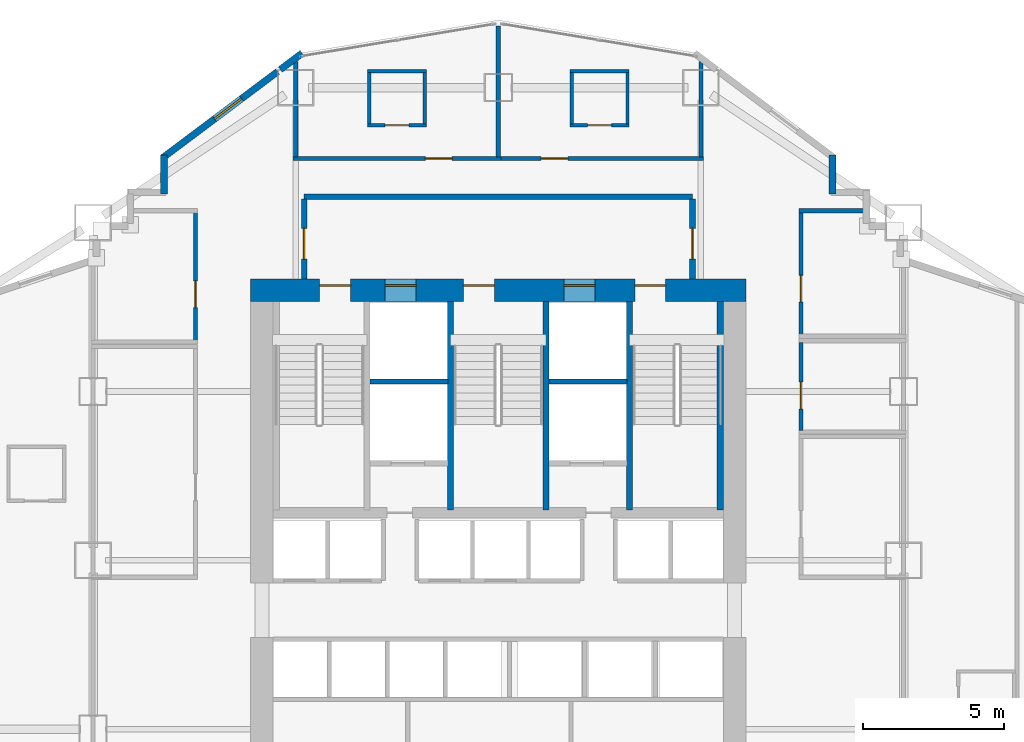
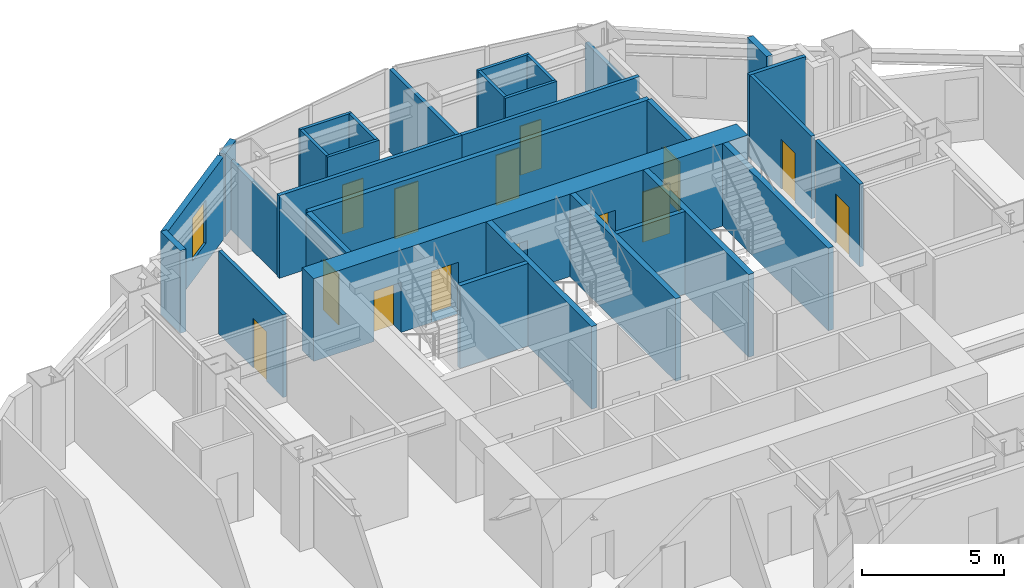
# One storey, part 12 of 19: 31 walls, 14 doors, 1 window, 15 openings.
"""IFC4 building model written with IfcOpenShell, lengths in metres."""

from ifc_helpers import new_model, si_unit, direction, frame, frame_2d, origin, place, context, subcontext, project, spatial, rectangle, extrude, material, layer, layer_set, type_object, element, fill, save


model = new_model("IFC4")

# Units and contexts
model_context = context("Model", 3, precision=1e-05, world=origin(), true_north=direction((0.0, 1.0)))
body_context = subcontext(model_context, "Body", "Model", "MODEL_VIEW")
ifc_project = project(units=[si_unit("LENGTHUNIT", "METRE"), si_unit("AREAUNIT", "SQUARE_METRE"), si_unit("VOLUMEUNIT", "CUBIC_METRE"), si_unit("PLANEANGLEUNIT", "RADIAN"), si_unit("MASSUNIT", "GRAM", prefix="KILO")], contexts=[model_context])

# Site, building, storey
site_placement = place(None, origin())
site = spatial("IfcSite", under=ifc_project, at=site_placement, CompositionType="ELEMENT")
building_placement = place(site_placement, origin())
building = spatial("IfcBuilding", under=site, at=building_placement, Name="Haolan Belvedere Tower", CompositionType="ELEMENT")
storey_placement = place(building_placement, frame((0.0, 0.0, 39.199951171875)))
storey = spatial("IfcBuildingStorey", under=building, at=storey_placement, Name="L09", CompositionType="ELEMENT", Elevation=39.199951171875)

# Wall, openings, doors
ifc_material_1 = material(Name="Concrete C70/85", Category="concrete")
ifc_layer_1 = layer(ifc_material_1, 0.800048828125, Name="Concrete C70/85")
ifc_layer_set_1 = layer_set([ifc_layer_1], Name="Concrete C70/85")
wall_type_1 = type_object("IfcWallType", Name="WL-CORE-800", PredefinedType="SHEAR", material=ifc_layer_set_1)
wall_1_placement = place(storey_placement, frame((29.60009765625, 43.199951171875, 0.0), z_axis=(0.0, 0.0, 1.0), x_axis=(1.0, 0.0, 0.0)))
wall_1 = element("IfcWall", 1, at=wall_1_placement, inside=storey, type_object=wall_type_1, Name="L09 central core north shear wall", PredefinedType="SHEAR", context=body_context, shape_type="SweptSolid", body=[
    extrude(rectangle(XDim=17.599853515625, YDim=0.800048828125, at=frame_2d((8.7998046875, 0.0))), origin(), (0.0, 0.0, 1.0), 3.5400390625),
])
opening_1_placement = place(wall_1_placement, frame((2.449951171875, 0.0, 0.0)))
opening_1 = element("IfcOpeningElement", 2, at=opening_1_placement, cuts=wall_1, Name="Opening FD-03", PredefinedType="OPENING", context=body_context, shape_type="SweptSolid", body=[
    extrude(rectangle(XDim=1.10009765625, YDim=2.14990234375, at=frame_2d((0.550048828125, 1.074951171875))), frame((0.0, 0.409912109375, 0.0), z_axis=(0.0, -1.0, 0.0), x_axis=(1.0, 0.0, 0.0)), (0.0, 0.0, 1.0), 0.820068359375),
])
opening_2_placement = place(wall_1_placement, frame((7.56005859375, 0.0, 0.0)))
opening_2 = element("IfcOpeningElement", 3, at=opening_2_placement, cuts=wall_1, Name="Opening FD-03", PredefinedType="OPENING", context=body_context, shape_type="SweptSolid", body=[
    extrude(rectangle(XDim=1.10009765625, YDim=2.14990234375, at=frame_2d((0.550048828125, 1.074951171875))), frame((0.0, 0.409912109375, 0.0), z_axis=(0.0, -1.0, 0.0), x_axis=(1.0, 0.0, 0.0)), (0.0, 0.0, 1.0), 0.820068359375),
])
opening_3_placement = place(wall_1_placement, frame((13.64990234375, 0.0, 0.0)))
opening_3 = element("IfcOpeningElement", 4, at=opening_3_placement, cuts=wall_1, Name="Opening FD-03", PredefinedType="OPENING", context=body_context, shape_type="SweptSolid", body=[
    extrude(rectangle(XDim=1.10009765625, YDim=2.14990234375, at=frame_2d((0.550048828125, 1.074951171875))), frame((0.0, 0.409912109375, 0.0), z_axis=(0.0, -1.0, 0.0), x_axis=(1.0, 0.0, 0.0)), (0.0, 0.0, 1.0), 0.820068359375),
])
opening_4_placement = place(wall_1_placement, frame((4.780029296875, 0.0, 0.0)))
opening_4 = element("IfcOpeningElement", 5, at=opening_4_placement, cuts=wall_1, Name="Opening LD-01", PredefinedType="OPENING", context=body_context, shape_type="SweptSolid", body=[
    extrude(rectangle(XDim=1.10009765625, YDim=2.199951171875, at=frame_2d((0.550048828125, 1.10009765625))), frame((0.0, 0.409912109375, 0.0), z_axis=(0.0, -1.0, 0.0), x_axis=(1.0, 0.0, 0.0)), (0.0, 0.0, 1.0), 0.820068359375),
])
opening_5_placement = place(wall_1_placement, frame((11.139892578125, 0.0, 0.0)))
opening_5 = element("IfcOpeningElement", 6, at=opening_5_placement, cuts=wall_1, Name="Opening LD-01", PredefinedType="OPENING", context=body_context, shape_type="SweptSolid", body=[
    extrude(rectangle(XDim=1.10009765625, YDim=2.199951171875, at=frame_2d((0.550048828125, 1.10009765625))), frame((0.0, 0.409912109375, 0.0), z_axis=(0.0, -1.0, 0.0), x_axis=(1.0, 0.0, 0.0)), (0.0, 0.0, 1.0), 0.820068359375),
])
ifc_material_2 = material(Name="Galvanised fire-rated steel", Category="steel")
door_type_1 = type_object("IfcDoorType", Name="DR-FD90-1100", OperationType="NOTDEFINED", PredefinedType="DOOR", material=ifc_material_2)
door_1_placement = place(opening_1_placement, origin())
door_1 = element("IfcDoor", 7, at=door_1_placement, inside=storey, type_object=door_type_1, Name="L09 door CD-L09-ST1", OperationType="SINGLE_SWING_LEFT", OverallHeight=2.14990234375, OverallWidth=1.10009765625, PredefinedType="DOOR", context=body_context, shape_type="SweptSolid", body=[
    extrude(rectangle(XDim=1.10009765625, YDim=2.14990234375, at=frame_2d((0.550048828125, 1.074951171875))), frame((0.0, 0.18505859375, 0.0), z_axis=(0.0, -1.0, 0.0), x_axis=(1.0, 0.0, 0.0)), (0.0, 0.0, 1.0), 0.050048828125),
])
fill(opening_1, door_1)
door_2_placement = place(opening_2_placement, origin())
door_2 = element("IfcDoor", 8, at=door_2_placement, inside=storey, type_object=door_type_1, Name="L09 door CD-L09-ST3", OperationType="SINGLE_SWING_LEFT", OverallHeight=2.14990234375, OverallWidth=1.10009765625, PredefinedType="DOOR", context=body_context, shape_type="SweptSolid", body=[
    extrude(rectangle(XDim=1.10009765625, YDim=2.14990234375, at=frame_2d((0.550048828125, 1.074951171875))), frame((0.0, 0.18505859375, 0.0), z_axis=(0.0, -1.0, 0.0), x_axis=(1.0, 0.0, 0.0)), (0.0, 0.0, 1.0), 0.050048828125),
])
fill(opening_2, door_2)
door_3_placement = place(opening_3_placement, origin())
door_3 = element("IfcDoor", 9, at=door_3_placement, inside=storey, type_object=door_type_1, Name="L09 door CD-L09-ST2", OperationType="SINGLE_SWING_RIGHT", OverallHeight=2.14990234375, OverallWidth=1.10009765625, PredefinedType="DOOR", context=body_context, shape_type="SweptSolid", body=[
    extrude(rectangle(XDim=1.10009765625, YDim=2.14990234375, at=frame_2d((0.550048828125, 1.074951171875))), frame((0.0, 0.18505859375, 0.0), z_axis=(0.0, -1.0, 0.0), x_axis=(1.0, 0.0, 0.0)), (0.0, 0.0, 1.0), 0.050048828125),
])
fill(opening_3, door_3)
ifc_material_3 = material(Name="Brushed champagne stainless steel 316L", Category="steel")
door_type_2 = type_object("IfcDoorType", Name="DR-LIFT-1100", OperationType="SLIDING_TO_LEFT", PredefinedType="DOOR", material=ifc_material_3)
door_4_placement = place(opening_4_placement, origin())
door_4 = element("IfcDoor", 10, at=door_4_placement, inside=storey, type_object=door_type_2, Name="L09 door LD-L09-FF1", OperationType="SLIDING_TO_LEFT", OverallHeight=2.199951171875, OverallWidth=1.10009765625, PredefinedType="DOOR", context=body_context, shape_type="SweptSolid", body=[
    extrude(rectangle(XDim=1.10009765625, YDim=2.199951171875, at=frame_2d((0.550048828125, 1.10009765625))), frame((0.0, 0.18505859375, 0.0), z_axis=(0.0, -1.0, 0.0), x_axis=(1.0, 0.0, 0.0)), (0.0, 0.0, 1.0), 0.050048828125),
])
fill(opening_4, door_4)
door_5_placement = place(opening_5_placement, origin())
door_5 = element("IfcDoor", 11, at=door_5_placement, inside=storey, type_object=door_type_2, Name="L09 door LD-L09-FF2", OperationType="SLIDING_TO_LEFT", OverallHeight=2.199951171875, OverallWidth=1.10009765625, PredefinedType="DOOR", context=body_context, shape_type="SweptSolid", body=[
    extrude(rectangle(XDim=1.10009765625, YDim=2.199951171875, at=frame_2d((0.550048828125, 1.10009765625))), frame((0.0, 0.18505859375, 0.0), z_axis=(0.0, -1.0, 0.0), x_axis=(1.0, 0.0, 0.0)), (0.0, 0.0, 1.0), 0.050048828125),
])
fill(opening_5, door_5)

# Walls
ifc_material_4 = material(Name="Precast concrete C40/50", Category="concrete")
ifc_layer_2 = layer(ifc_material_4, 0.239990234375, Name="Precast concrete C40/50")
ifc_layer_set_2 = layer_set([ifc_layer_2], Name="Precast concrete C40/50")
wall_type_2 = type_object("IfcWallType", Name="WL-EXT-240", PredefinedType="SOLIDWALL", material=ifc_layer_set_2)
wall_2_placement = place(storey_placement, frame((50.280029296875, 46.625, 0.0), z_axis=(0.0, 0.0, 1.0), x_axis=(0.0, 1.0, 0.0)))
element("IfcWall", 12, at=wall_2_placement, inside=storey, type_object=wall_type_2, Name="L09 pale-metal exterior spandrel wall 40.1", PredefinedType="SOLIDWALL", context=body_context, shape_type="SweptSolid", body=[
    extrude(rectangle(XDim=1.3701171875, YDim=0.239990234375, at=frame_2d((0.68505859375, 0.0))), origin(), (0.0, 0.0, 1.0), 3.5400390625),
])
wall_3_placement = place(storey_placement, frame((31.4287109375, 51.621337890625, 0.0), z_axis=(0.0, 0.0, 1.0), x_axis=(-0.800090996409, -0.599878652284, 0.0)))
element("IfcWall", 13, at=wall_3_placement, inside=storey, type_object=wall_type_2, Name="L09 pale-metal exterior spandrel wall 44.1", PredefinedType="SOLIDWALL", context=body_context, shape_type="SweptSolid", body=[
    extrude(rectangle(XDim=0.9658203125, YDim=0.239990234375, at=frame_2d((0.48291015625, 0.0))), origin(), (0.0, 0.0, 1.0), 3.5400390625),
])

# Wall, opening, window
wall_4_placement = place(storey_placement, frame((30.55810546875, 50.968505859375, 0.0), z_axis=(0.0, 0.0, 1.0), x_axis=(-0.8, -0.6, 0.0)))
wall_4 = element("IfcWall", 14, at=wall_4_placement, inside=storey, type_object=wall_type_2, Name="L09 pale-metal exterior spandrel wall 44.2", PredefinedType="SOLIDWALL", context=body_context, shape_type="SweptSolid", body=[
    extrude(rectangle(XDim=5.1025390625, YDim=0.239990234375, at=frame_2d((2.55126953125, 0.0))), origin(), (0.0, 0.0, 1.0), 3.5400390625),
])
opening_6_placement = place(wall_4_placement, frame((1.60009765625, 0.0, 0.85009765625)))
opening_6 = element("IfcOpeningElement", 15, at=opening_6_placement, cuts=wall_4, Name="Opening W-01", PredefinedType="OPENING", context=body_context, shape_type="SweptSolid", body=[
    extrude(rectangle(XDim=1.199951171875, YDim=1.85009765625, at=frame_2d((0.60009765625, 0.925048828125))), frame((0.0, 0.1298828125, 0.0), z_axis=(0.0, -1.0, 0.0), x_axis=(1.0, 0.0, 0.0)), (0.0, 0.0, 1.0), 0.260009765625),
])
ifc_material_5 = material(Name="Anodised aluminium 6063-T6 and Low-E glass", Category="aluminium")
window_type = type_object("IfcWindowType", Name="WN-DECO-Z1", PartitioningType="SINGLE_PANEL", PredefinedType="WINDOW", material=ifc_material_5)
window_placement = place(opening_6_placement, origin())
window = element("IfcWindow", 16, at=window_placement, inside=storey, type_object=window_type, Name="L09 Art Deco chevron window 1", OverallHeight=1.85009765625, OverallWidth=1.199951171875, PartitioningType="SINGLE_PANEL", PredefinedType="WINDOW", context=body_context, shape_type="SweptSolid", body=[
    extrude(rectangle(XDim=1.199951171875, YDim=1.85009765625, at=frame_2d((0.60009765625, 0.925048828125))), frame((0.0, 0.030029296875, 0.0), z_axis=(0.0, -1.0, 0.0), x_axis=(1.0, 0.0, 0.0)), (0.0, 0.0, 1.0), 0.06005859375),
])
fill(opening_6, window)

# Walls
wall_5_placement = place(storey_placement, frame((26.52001953125, 47.9951171875, 0.0), z_axis=(0.0, 0.0, 1.0), x_axis=(0.0, -1.0, 0.0)))
element("IfcWall", 17, at=wall_5_placement, inside=storey, type_object=wall_type_2, Name="L09 pale-metal exterior spandrel wall 45.1", PredefinedType="SOLIDWALL", context=body_context, shape_type="SweptSolid", body=[
    extrude(rectangle(XDim=1.3701171875, YDim=0.239990234375, at=frame_2d((0.68505859375, 0.0))), origin(), (0.0, 0.0, 1.0), 3.5400390625),
])
ifc_material_6 = material(Name="Concrete C40/50", Category="concrete")
ifc_layer_3 = layer(ifc_material_6, 0.199951171875, Name="Concrete C40/50")
ifc_layer_set_3 = layer_set([ifc_layer_3], Name="Concrete C40/50")
wall_type_3 = type_object("IfcWallType", Name="WL-FIRE-200", PredefinedType="SOLIDWALL", material=ifc_layer_set_3)
wall_6_placement = place(storey_placement, frame((31.5, 46.52001953125, 0.0), z_axis=(0.0, 0.0, 1.0), x_axis=(1.0, 0.0, 0.0)))
element("IfcWall", 18, at=wall_6_placement, inside=storey, type_object=wall_type_3, Name="L09 interior partition IW-L09-FFL-N", PredefinedType="SOLIDWALL", context=body_context, shape_type="SweptSolid", body=[
    extrude(rectangle(XDim=13.800048828125, YDim=0.199951171875, at=frame_2d((6.89990234375, 0.0))), origin(), (0.0, 0.0, 1.0), 3.5400390625),
])

# Wall, opening, door
wall_7_placement = place(storey_placement, frame((31.5, 43.60009765625, 0.0), z_axis=(0.0, 0.0, 1.0), x_axis=(0.0, 1.0, 0.0)))
wall_7 = element("IfcWall", 19, at=wall_7_placement, inside=storey, type_object=wall_type_3, Name="L09 interior partition IW-L09-FFL-W", PredefinedType="SOLIDWALL", context=body_context, shape_type="SweptSolid", body=[
    extrude(rectangle(XDim=2.8349609375, YDim=0.199951171875, at=frame_2d((1.41748046875, 0.0))), origin(), (0.0, 0.0, 1.0), 3.5400390625),
])
opening_7_placement = place(wall_7_placement, frame((1.800048828125, 0.0, 0.0), z_axis=(0.0, 0.0, 1.0), x_axis=(-1.0, 0.0, 0.0)))
opening_7 = element("IfcOpeningElement", 20, at=opening_7_placement, cuts=wall_7, Name="Opening FD-03", PredefinedType="OPENING", context=body_context, shape_type="SweptSolid", body=[
    extrude(rectangle(XDim=1.10009765625, YDim=2.14990234375, at=frame_2d((0.550048828125, 1.074951171875))), frame((0.0, 0.10986328125, 0.0), z_axis=(0.0, -1.0, 0.0), x_axis=(1.0, 0.0, 0.0)), (0.0, 0.0, 1.0), 0.219970703125),
])
door_6_placement = place(opening_7_placement, origin())
door_6 = element("IfcDoor", 21, at=door_6_placement, inside=storey, type_object=door_type_1, Name="L09 door ID-L09-FFL-DW", OperationType="SINGLE_SWING_LEFT", OverallHeight=2.14990234375, OverallWidth=1.10009765625, PredefinedType="DOOR", context=body_context, shape_type="SweptSolid", body=[
    extrude(rectangle(XDim=1.10009765625, YDim=2.14990234375, at=frame_2d((0.550048828125, 1.074951171875))), frame((0.0, 0.02490234375, 0.0), z_axis=(0.0, -1.0, 0.0), x_axis=(1.0, 0.0, 0.0)), (0.0, 0.0, 1.0), 0.050048828125),
])
fill(opening_7, door_6)

wall_8_placement = place(storey_placement, frame((45.300048828125, 43.60009765625, 0.0), z_axis=(0.0, 0.0, 1.0), x_axis=(0.0, 1.0, 0.0)))
wall_8 = element("IfcWall", 22, at=wall_8_placement, inside=storey, type_object=wall_type_3, Name="L09 interior partition IW-L09-FFL-E", PredefinedType="SOLIDWALL", context=body_context, shape_type="SweptSolid", body=[
    extrude(rectangle(XDim=2.8349609375, YDim=0.199951171875, at=frame_2d((1.41748046875, 0.0))), origin(), (0.0, 0.0, 1.0), 3.5400390625),
])
opening_8_placement = place(wall_8_placement, frame((0.699951171875, 0.0, 0.0)))
opening_8 = element("IfcOpeningElement", 23, at=opening_8_placement, cuts=wall_8, Name="Opening FD-03", PredefinedType="OPENING", context=body_context, shape_type="SweptSolid", body=[
    extrude(rectangle(XDim=1.10009765625, YDim=2.14990234375, at=frame_2d((0.550048828125, 1.074951171875))), frame((0.0, 0.10986328125, 0.0), z_axis=(0.0, -1.0, 0.0), x_axis=(1.0, 0.0, 0.0)), (0.0, 0.0, 1.0), 0.219970703125),
])
door_7_placement = place(opening_8_placement, origin())
door_7 = element("IfcDoor", 24, at=door_7_placement, inside=storey, type_object=door_type_1, Name="L09 door ID-L09-FFL-DE", OperationType="SINGLE_SWING_RIGHT", OverallHeight=2.14990234375, OverallWidth=1.10009765625, PredefinedType="DOOR", context=body_context, shape_type="SweptSolid", body=[
    extrude(rectangle(XDim=1.10009765625, YDim=2.14990234375, at=frame_2d((0.550048828125, 1.074951171875))), frame((0.0, 0.02490234375, 0.0), z_axis=(0.0, -1.0, 0.0), x_axis=(1.0, 0.0, 0.0)), (0.0, 0.0, 1.0), 0.050048828125),
])
fill(opening_8, door_7)

ifc_material_7 = material(Name="Double gypsum acoustic stud partition", Category="masonry")
ifc_layer_4 = layer(ifc_material_7, 0.14990234375, Name="Double gypsum acoustic stud partition")
ifc_layer_set_4 = layer_set([ifc_layer_4], Name="Double gypsum acoustic stud partition")
wall_type_4 = type_object("IfcWallType", Name="WL-PART-150", PredefinedType="PARTITIONING", material=ifc_layer_set_4)
wall_9_placement = place(storey_placement, frame((27.639892578125, 41.419921875, 0.0), z_axis=(0.0, 0.0, 1.0), x_axis=(0.0, 1.0, 0.0)))
wall_9 = element("IfcWall", 25, at=wall_9_placement, inside=storey, type_object=wall_type_4, Name="L09 interior partition IW-L09-HSK-E", PredefinedType="PARTITIONING", context=body_context, shape_type="SweptSolid", body=[
    extrude(rectangle(XDim=4.5400390625, YDim=0.14990234375, at=frame_2d((2.27001953125, 0.0))), origin(), (0.0, 0.0, 1.0), 3.5400390625),
])
opening_9_placement = place(wall_9_placement, frame((2.10986328125, 0.0, 0.0), z_axis=(0.0, 0.0, 1.0), x_axis=(-1.0, 0.0, 0.0)))
opening_9 = element("IfcOpeningElement", 26, at=opening_9_placement, cuts=wall_9, Name="Opening ID-03", PredefinedType="OPENING", context=body_context, shape_type="SweptSolid", body=[
    extrude(rectangle(XDim=0.949951171875, YDim=2.1201171875, at=frame_2d((0.47509765625, 1.06005859375))), frame((0.0, 0.0849609375, 0.0), z_axis=(0.0, -1.0, 0.0), x_axis=(1.0, 0.0, 0.0)), (0.0, 0.0, 1.0), 0.169921875),
])
ifc_material_8 = material(Name="Painted solid-core timber", Category="wood")
door_type_3 = type_object("IfcDoorType", Name="DR-INT-950", OperationType="NOTDEFINED", PredefinedType="DOOR", material=ifc_material_8)
door_8_placement = place(opening_9_placement, origin())
door_8 = element("IfcDoor", 27, at=door_8_placement, inside=storey, type_object=door_type_3, Name="L09 door ID-L09-HSK", OperationType="SINGLE_SWING_RIGHT", OverallHeight=2.1201171875, OverallWidth=0.949951171875, PredefinedType="DOOR", context=body_context, shape_type="SweptSolid", body=[
    extrude(rectangle(XDim=0.949951171875, YDim=2.1201171875, at=frame_2d((0.47509765625, 1.06005859375))), frame((0.0, 0.02490234375, 0.0), z_axis=(0.0, -1.0, 0.0), x_axis=(1.0, 0.0, 0.0)), (0.0, 0.0, 1.0), 0.050048828125),
])
fill(opening_9, door_8)

wall_10_placement = place(storey_placement, frame((49.159912109375, 38.219970703125, 0.0), z_axis=(0.0, 0.0, 1.0), x_axis=(0.0, 1.0, 0.0)))
wall_10 = element("IfcWall", 28, at=wall_10_placement, inside=storey, type_object=wall_type_4, Name="L09 interior partition IW-L09-AWC-W", PredefinedType="PARTITIONING", context=body_context, shape_type="SweptSolid", body=[
    extrude(rectangle(XDim=3.1201171875, YDim=0.14990234375, at=frame_2d((1.56005859375, 0.0))), origin(), (0.0, 0.0, 1.0), 3.5400390625),
])
opening_10_placement = place(wall_10_placement, frame((0.760009765625, 0.0, 0.0)))
opening_10 = element("IfcOpeningElement", 29, at=opening_10_placement, cuts=wall_10, Name="Opening ID-03", PredefinedType="OPENING", context=body_context, shape_type="SweptSolid", body=[
    extrude(rectangle(XDim=0.949951171875, YDim=2.1201171875, at=frame_2d((0.47509765625, 1.06005859375))), frame((0.0, 0.0849609375, 0.0), z_axis=(0.0, -1.0, 0.0), x_axis=(1.0, 0.0, 0.0)), (0.0, 0.0, 1.0), 0.169921875),
])
door_9_placement = place(opening_10_placement, origin())
door_9 = element("IfcDoor", 30, at=door_9_placement, inside=storey, type_object=door_type_3, Name="L09 door ID-L09-AWC", OperationType="SINGLE_SWING_LEFT", OverallHeight=2.1201171875, OverallWidth=0.949951171875, PredefinedType="DOOR", context=body_context, shape_type="SweptSolid", body=[
    extrude(rectangle(XDim=0.949951171875, YDim=2.1201171875, at=frame_2d((0.47509765625, 1.06005859375))), frame((0.0, 0.02490234375, 0.0), z_axis=(0.0, -1.0, 0.0), x_axis=(1.0, 0.0, 0.0)), (0.0, 0.0, 1.0), 0.050048828125),
])
fill(opening_10, door_9)

# Wall
wall_11_placement = place(storey_placement, frame((49.080078125, 46.02001953125, 0.0), z_axis=(0.0, 0.0, 1.0), x_axis=(1.0, 0.0, 0.0)))
element("IfcWall", 31, at=wall_11_placement, inside=storey, type_object=wall_type_4, Name="L09 interior partition IW-L09-CLN-N", PredefinedType="PARTITIONING", context=body_context, shape_type="SweptSolid", body=[
    extrude(rectangle(XDim=2.294921875, YDim=0.14990234375, at=frame_2d((1.1474609375, 0.0))), origin(), (0.0, 0.0, 1.0), 3.5400390625),
])

# Wall, opening, door
wall_12_placement = place(storey_placement, frame((49.159912109375, 41.6201171875, 0.0), z_axis=(0.0, 0.0, 1.0), x_axis=(0.0, 1.0, 0.0)))
wall_12 = element("IfcWall", 32, at=wall_12_placement, inside=storey, type_object=wall_type_4, Name="L09 interior partition IW-L09-CLN-W", PredefinedType="PARTITIONING", context=body_context, shape_type="SweptSolid", body=[
    extrude(rectangle(XDim=4.33984375, YDim=0.14990234375, at=frame_2d((2.169921875, 0.0))), origin(), (0.0, 0.0, 1.0), 3.5400390625),
])
opening_11_placement = place(wall_12_placement, frame((1.159912109375, 0.0, 0.0)))
opening_11 = element("IfcOpeningElement", 33, at=opening_11_placement, cuts=wall_12, Name="Opening ID-03", PredefinedType="OPENING", context=body_context, shape_type="SweptSolid", body=[
    extrude(rectangle(XDim=0.949951171875, YDim=2.1201171875, at=frame_2d((0.47509765625, 1.06005859375))), frame((0.0, 0.0849609375, 0.0), z_axis=(0.0, -1.0, 0.0), x_axis=(1.0, 0.0, 0.0)), (0.0, 0.0, 1.0), 0.169921875),
])
door_10_placement = place(opening_11_placement, origin())
door_10 = element("IfcDoor", 34, at=door_10_placement, inside=storey, type_object=door_type_3, Name="L09 door ID-L09-CLN", OperationType="SINGLE_SWING_RIGHT", OverallHeight=2.1201171875, OverallWidth=0.949951171875, PredefinedType="DOOR", context=body_context, shape_type="SweptSolid", body=[
    extrude(rectangle(XDim=0.949951171875, YDim=2.1201171875, at=frame_2d((0.47509765625, 1.06005859375))), frame((0.0, 0.02490234375, 0.0), z_axis=(0.0, -1.0, 0.0), x_axis=(1.0, 0.0, 0.0)), (0.0, 0.0, 1.0), 0.050048828125),
])
fill(opening_11, door_10)

wall_13_placement = place(storey_placement, frame((31.10009765625, 47.8798828125, 0.0), z_axis=(0.0, 0.0, 1.0), x_axis=(1.0, 0.0, 0.0)))
wall_13 = element("IfcWall", 35, at=wall_13_placement, inside=storey, type_object=wall_type_4, Name="L09 interior partition IW-L09-KN2-S", PredefinedType="PARTITIONING", context=body_context, shape_type="SweptSolid", body=[
    extrude(rectangle(XDim=7.39990234375, YDim=0.14990234375, at=frame_2d((3.699951171875, 0.0))), origin(), (0.0, 0.0, 1.0), 3.5400390625),
])
opening_12_placement = place(wall_13_placement, frame((4.713623046875, 0.0, 0.0)))
opening_12 = element("IfcOpeningElement", 36, at=opening_12_placement, cuts=wall_13, Name="Opening ID-02", PredefinedType="OPENING", context=body_context, shape_type="SweptSolid", body=[
    extrude(rectangle(XDim=0.949951171875, YDim=2.14990234375, at=frame_2d((0.47509765625, 1.074951171875))), frame((0.0, 0.0849609375, 0.0), z_axis=(0.0, -1.0, 0.0), x_axis=(1.0, 0.0, 0.0)), (0.0, 0.0, 1.0), 0.169921875),
])
ifc_material_9 = material(Name="Acoustic oak veneer fire-rated timber", Category="wood")
door_type_4 = type_object("IfcDoorType", Name="DR-GUEST-950", OperationType="NOTDEFINED", PredefinedType="DOOR", material=ifc_material_9)
door_11_placement = place(opening_12_placement, origin())
door_11 = element("IfcDoor", 37, at=door_11_placement, inside=storey, type_object=door_type_4, Name="L09 door ID-L09-KN2-ENT", OperationType="SINGLE_SWING_LEFT", OverallHeight=2.14990234375, OverallWidth=0.949951171875, PredefinedType="DOOR", context=body_context, shape_type="SweptSolid", body=[
    extrude(rectangle(XDim=0.949951171875, YDim=2.14990234375, at=frame_2d((0.47509765625, 1.074951171875))), frame((0.0, 0.02490234375, 0.0), z_axis=(0.0, -1.0, 0.0), x_axis=(1.0, 0.0, 0.0)), (0.0, 0.0, 1.0), 0.050048828125),
])
fill(opening_12, door_11)

# Walls
wall_14_placement = place(storey_placement, frame((31.199951171875, 47.93994140625, 0.0), z_axis=(0.0, 0.0, 1.0), x_axis=(0.0, 1.0, 0.0)))
element("IfcWall", 38, at=wall_14_placement, inside=storey, type_object=wall_type_4, Name="L09 interior partition IW-L09-KN2-W", PredefinedType="PARTITIONING", context=body_context, shape_type="SweptSolid", body=[
    extrude(rectangle(XDim=3.378662109375, YDim=0.14990234375, at=frame_2d((1.689453125, 0.0))), origin(), (0.0, 0.0, 1.0), 2.925048828125),
])
wall_15_placement = place(storey_placement, frame((38.39990234375, 47.93994140625, 0.0), z_axis=(0.0, 0.0, 1.0), x_axis=(0.0, 1.0, 0.0)))
element("IfcWall", 39, at=wall_15_placement, inside=storey, type_object=wall_type_4, Name="L09 interior partition IW-L09-KN2-E", PredefinedType="PARTITIONING", context=body_context, shape_type="SweptSolid", body=[
    extrude(rectangle(XDim=4.645263671875, YDim=0.14990234375, at=frame_2d((2.32275390625, 0.0))), origin(), (0.0, 0.0, 1.0), 3.5400390625),
])

# Wall, opening, door
wall_16_placement = place(storey_placement, frame((38.501953125, 47.8798828125, 0.0), z_axis=(0.0, 0.0, 1.0), x_axis=(1.0, 0.0, 0.0)))
wall_16 = element("IfcWall", 40, at=wall_16_placement, inside=storey, type_object=wall_type_4, Name="L09 interior partition IW-L09-KN3-S", PredefinedType="PARTITIONING", context=body_context, shape_type="SweptSolid", body=[
    extrude(rectangle(XDim=7.197998046875, YDim=0.14990234375, at=frame_2d((3.59912109375, 0.0))), origin(), (0.0, 0.0, 1.0), 3.5400390625),
])
opening_13_placement = place(wall_16_placement, frame((1.41748046875, 0.0, 0.0)))
opening_13 = element("IfcOpeningElement", 41, at=opening_13_placement, cuts=wall_16, Name="Opening ID-02", PredefinedType="OPENING", context=body_context, shape_type="SweptSolid", body=[
    extrude(rectangle(XDim=0.949951171875, YDim=2.14990234375, at=frame_2d((0.47509765625, 1.074951171875))), frame((0.0, 0.0849609375, 0.0), z_axis=(0.0, -1.0, 0.0), x_axis=(1.0, 0.0, 0.0)), (0.0, 0.0, 1.0), 0.169921875),
])
door_12_placement = place(opening_13_placement, origin())
door_12 = element("IfcDoor", 42, at=door_12_placement, inside=storey, type_object=door_type_4, Name="L09 door ID-L09-KN3-ENT", OperationType="SINGLE_SWING_RIGHT", OverallHeight=2.14990234375, OverallWidth=0.949951171875, PredefinedType="DOOR", context=body_context, shape_type="SweptSolid", body=[
    extrude(rectangle(XDim=0.949951171875, YDim=2.14990234375, at=frame_2d((0.47509765625, 1.074951171875))), frame((0.0, 0.02490234375, 0.0), z_axis=(0.0, -1.0, 0.0), x_axis=(1.0, 0.0, 0.0)), (0.0, 0.0, 1.0), 0.050048828125),
])
fill(opening_13, door_12)

# Walls
wall_17_placement = place(storey_placement, frame((45.60009765625, 47.93994140625, 0.0), z_axis=(0.0, 0.0, 1.0), x_axis=(0.0, 1.0, 0.0)))
element("IfcWall", 43, at=wall_17_placement, inside=storey, type_object=wall_type_4, Name="L09 interior partition IW-L09-KN3-E", PredefinedType="PARTITIONING", context=body_context, shape_type="SweptSolid", body=[
    extrude(rectangle(XDim=3.378662109375, YDim=0.14990234375, at=frame_2d((1.689453125, 0.0))), origin(), (0.0, 0.0, 1.0), 2.925048828125),
])
ifc_layer_5 = layer(ifc_material_4, 0.179931640625, Name="Precast concrete C40/50")
ifc_layer_set_5 = layer_set([ifc_layer_5], Name="Precast concrete C40/50")
wall_type_5 = type_object("IfcWallType", Name="WL-SHAFT-180", PredefinedType="SOLIDWALL", material=ifc_layer_set_5)
for number, where, z_axis, x_axis, name in (
    (44, (33.8349609375, 39.949951171875, 0.0), (0.0, 0.0, 1.0), (1.0, 0.0, 0.0), "L09 interior partition IW-L09-FF1-S"),
    (45, (40.195068359375, 39.949951171875, 0.0), (0.0, 0.0, 1.0), (1.0, 0.0, 0.0), "L09 interior partition IW-L09-FF2-S"),
):
    element("IfcWall", number, at=place(storey_placement, frame(where, z_axis=z_axis, x_axis=x_axis)), inside=storey, type_object=wall_type_5, Name=name, PredefinedType="SOLIDWALL", context=body_context, shape_type="SweptSolid", body=[
        extrude(rectangle(XDim=2.77001953125, YDim=0.179931640625, at=frame_2d((1.385009765625, 0.0))), origin(), (0.0, 0.0, 1.0), 3.5400390625),
    ])
ifc_material_10 = material(Name="Concrete C50/60", Category="concrete")
ifc_layer_6 = layer(ifc_material_10, 0.219970703125, Name="Concrete C50/60")
ifc_layer_set_6 = layer_set([ifc_layer_6], Name="Concrete C50/60")
wall_type_6 = type_object("IfcWallType", Name="WL-STAIR-220", PredefinedType="SHEAR", material=ifc_layer_set_6)
for number, where, z_axis, x_axis, name in (
    (46, (36.699951171875, 35.389892578125, 0.0), (0.0, 0.0, 1.0), (0.0, 1.0, 0.0), "L09 structural stair core wall ST3W"),
    (47, (40.10009765625, 35.389892578125, 0.0), (0.0, 0.0, 1.0), (0.0, 1.0, 0.0), "L09 structural stair core wall ST3E"),
    (48, (43.06005859375, 35.389892578125, 0.0), (0.0, 0.0, 1.0), (0.0, 1.0, 0.0), "L09 structural stair core wall ST2W"),
    (49, (46.2880859375, 35.389892578125, 0.0), (0.0, 0.0, 1.0), (0.0, 1.0, 0.0), "L09 structural stair core wall ST2E"),
):
    element("IfcWall", number, at=place(storey_placement, frame(where, z_axis=z_axis, x_axis=x_axis)), inside=storey, type_object=wall_type_6, Name=name, PredefinedType="SHEAR", context=body_context, shape_type="SweptSolid", body=[
        extrude(rectangle(XDim=7.41015625, YDim=0.219970703125, at=frame_2d((3.705078125, 0.0))), origin(), (0.0, 0.0, 1.0), 3.5400390625),
    ])
ifc_material_11 = material(Name="Moisture-resistant gypsum tile partition", Category="masonry")
ifc_layer_7 = layer(ifc_material_11, 0.1201171875, Name="Moisture-resistant gypsum tile partition")
ifc_layer_set_7 = layer_set([ifc_layer_7], Name="Moisture-resistant gypsum tile partition")
wall_type_7 = type_object("IfcWallType", Name="WL-WET-120", PredefinedType="PARTITIONING", material=ifc_layer_set_7)
wall_18_placement = place(storey_placement, frame((33.75, 50.97998046875, 0.0), z_axis=(0.0, 0.0, 1.0), x_axis=(1.0, 0.0, 0.0)))
element("IfcWall", 50, at=wall_18_placement, inside=storey, type_object=wall_type_7, Name="L09 interior partition IW-L09-KN2-BN", PredefinedType="PARTITIONING", context=body_context, shape_type="SweptSolid", body=[
    extrude(rectangle(XDim=2.10009765625, YDim=0.1201171875, at=frame_2d((1.050048828125, 0.0))), origin(), (0.0, 0.0, 1.0), 3.5400390625),
])

# Wall, opening, door
wall_19_placement = place(storey_placement, frame((33.75, 49.06005859375, 0.0), z_axis=(0.0, 0.0, 1.0), x_axis=(1.0, 0.0, 0.0)))
wall_19 = element("IfcWall", 51, at=wall_19_placement, inside=storey, type_object=wall_type_7, Name="L09 interior partition IW-L09-KN2-BS", PredefinedType="PARTITIONING", context=body_context, shape_type="SweptSolid", body=[
    extrude(rectangle(XDim=2.10009765625, YDim=0.1201171875, at=frame_2d((1.050048828125, 0.0))), origin(), (0.0, 0.0, 1.0), 3.5400390625),
])
opening_14_placement = place(wall_19_placement, frame((0.625, 0.0, 0.0)))
opening_14 = element("IfcOpeningElement", 52, at=opening_14_placement, cuts=wall_19, Name="Opening ID-05", PredefinedType="OPENING", context=body_context, shape_type="SweptSolid", body=[
    extrude(rectangle(XDim=0.85009765625, YDim=2.10009765625, at=frame_2d((0.425048828125, 1.050048828125))), frame((0.0, 0.070068359375, 0.0), z_axis=(0.0, -1.0, 0.0), x_axis=(1.0, 0.0, 0.0)), (0.0, 0.0, 1.0), 0.14013671875),
])
ifc_material_12 = material(Name="Moisture-resistant lacquered timber", Category="wood")
door_type_5 = type_object("IfcDoorType", Name="DR-BATH-850", OperationType="NOTDEFINED", PredefinedType="DOOR", material=ifc_material_12)
door_13_placement = place(opening_14_placement, origin())
door_13 = element("IfcDoor", 53, at=door_13_placement, inside=storey, type_object=door_type_5, Name="L09 door ID-L09-KN2-BATH", OperationType="SINGLE_SWING_RIGHT", OverallHeight=2.10009765625, OverallWidth=0.85009765625, PredefinedType="DOOR", context=body_context, shape_type="SweptSolid", body=[
    extrude(rectangle(XDim=0.85009765625, YDim=2.10009765625, at=frame_2d((0.425048828125, 1.050048828125))), frame((0.0, 0.02490234375, 0.0), z_axis=(0.0, -1.0, 0.0), x_axis=(1.0, 0.0, 0.0)), (0.0, 0.0, 1.0), 0.050048828125),
])
fill(opening_14, door_13)

# Walls
for number, where, z_axis, x_axis, name in (
    (54, (33.81005859375, 49.10498046875, 0.0), (0.0, 0.0, 1.0), (0.0, 1.0, 0.0), "L09 interior partition IW-L09-KN2-BW"),
    (55, (35.7900390625, 49.10498046875, 0.0), (0.0, 0.0, 1.0), (0.0, 1.0, 0.0), "L09 interior partition IW-L09-KN2-BE"),
):
    element("IfcWall", number, at=place(storey_placement, frame(where, z_axis=z_axis, x_axis=x_axis)), inside=storey, type_object=wall_type_7, Name=name, PredefinedType="PARTITIONING", context=body_context, shape_type="SweptSolid", body=[
        extrude(rectangle(XDim=1.830078125, YDim=0.1201171875, at=frame_2d((0.9150390625, 0.0))), origin(), (0.0, 0.0, 1.0), 3.5400390625),
    ])
wall_20_placement = place(storey_placement, frame((40.949951171875, 50.97998046875, 0.0), z_axis=(0.0, 0.0, 1.0), x_axis=(1.0, 0.0, 0.0)))
element("IfcWall", 56, at=wall_20_placement, inside=storey, type_object=wall_type_7, Name="L09 interior partition IW-L09-KN3-BN", PredefinedType="PARTITIONING", context=body_context, shape_type="SweptSolid", body=[
    extrude(rectangle(XDim=2.10009765625, YDim=0.1201171875, at=frame_2d((1.050048828125, 0.0))), origin(), (0.0, 0.0, 1.0), 3.5400390625),
])

# Wall, opening, door
wall_21_placement = place(storey_placement, frame((40.949951171875, 49.06005859375, 0.0), z_axis=(0.0, 0.0, 1.0), x_axis=(1.0, 0.0, 0.0)))
wall_21 = element("IfcWall", 57, at=wall_21_placement, inside=storey, type_object=wall_type_7, Name="L09 interior partition IW-L09-KN3-BS", PredefinedType="PARTITIONING", context=body_context, shape_type="SweptSolid", body=[
    extrude(rectangle(XDim=2.10009765625, YDim=0.1201171875, at=frame_2d((1.050048828125, 0.0))), origin(), (0.0, 0.0, 1.0), 3.5400390625),
])
opening_15_placement = place(wall_21_placement, frame((0.625, 0.0, 0.0)))
opening_15 = element("IfcOpeningElement", 58, at=opening_15_placement, cuts=wall_21, Name="Opening ID-05", PredefinedType="OPENING", context=body_context, shape_type="SweptSolid", body=[
    extrude(rectangle(XDim=0.85009765625, YDim=2.10009765625, at=frame_2d((0.425048828125, 1.050048828125))), frame((0.0, 0.070068359375, 0.0), z_axis=(0.0, -1.0, 0.0), x_axis=(1.0, 0.0, 0.0)), (0.0, 0.0, 1.0), 0.14013671875),
])
door_14_placement = place(opening_15_placement, origin())
door_14 = element("IfcDoor", 59, at=door_14_placement, inside=storey, type_object=door_type_5, Name="L09 door ID-L09-KN3-BATH", OperationType="SINGLE_SWING_LEFT", OverallHeight=2.10009765625, OverallWidth=0.85009765625, PredefinedType="DOOR", context=body_context, shape_type="SweptSolid", body=[
    extrude(rectangle(XDim=0.85009765625, YDim=2.10009765625, at=frame_2d((0.425048828125, 1.050048828125))), frame((0.0, 0.02490234375, 0.0), z_axis=(0.0, -1.0, 0.0), x_axis=(1.0, 0.0, 0.0)), (0.0, 0.0, 1.0), 0.050048828125),
])
fill(opening_15, door_14)

# Walls
for number, where, z_axis, x_axis, name in (
    (60, (41.010009765625, 49.10498046875, 0.0), (0.0, 0.0, 1.0), (0.0, 1.0, 0.0), "L09 interior partition IW-L09-KN3-BW"),
    (61, (42.989990234375, 49.10498046875, 0.0), (0.0, 0.0, 1.0), (0.0, 1.0, 0.0), "L09 interior partition IW-L09-KN3-BE"),
):
    element("IfcWall", number, at=place(storey_placement, frame(where, z_axis=z_axis, x_axis=x_axis)), inside=storey, type_object=wall_type_7, Name=name, PredefinedType="PARTITIONING", context=body_context, shape_type="SweptSolid", body=[
        extrude(rectangle(XDim=1.830078125, YDim=0.1201171875, at=frame_2d((0.9150390625, 0.0))), origin(), (0.0, 0.0, 1.0), 3.5400390625),
    ])

save(model, "model.ifc")
